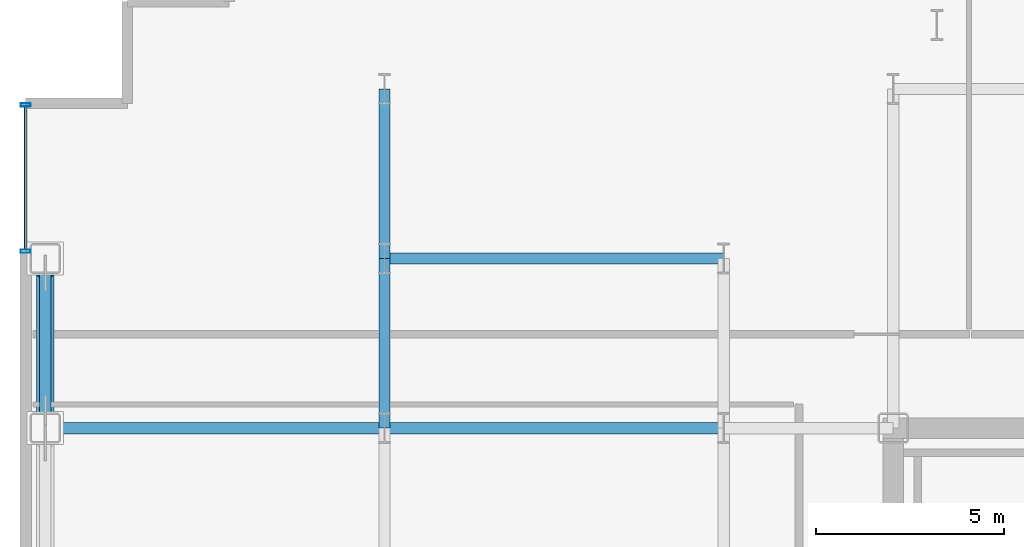
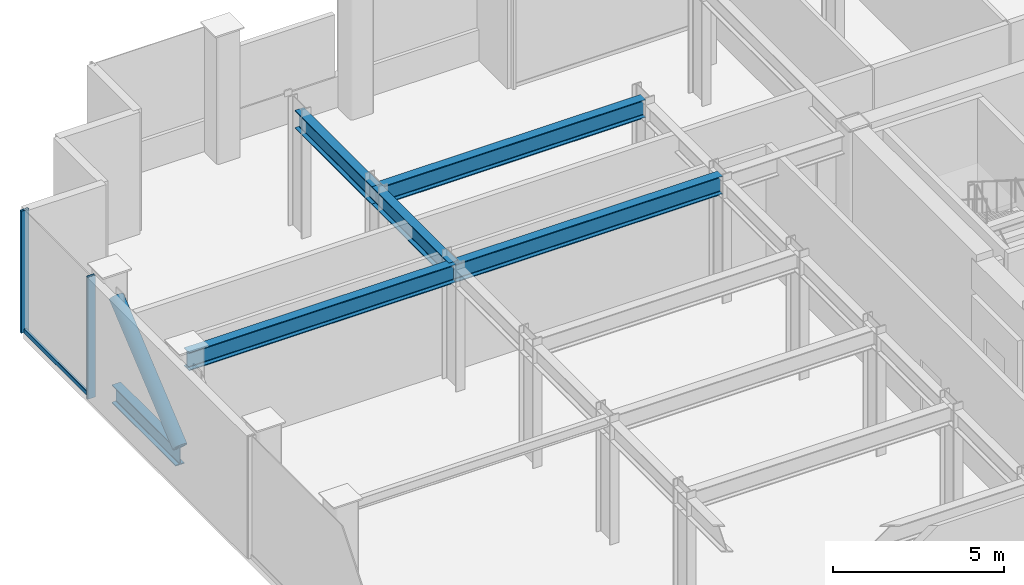
# One storey, part 11 of 26: 5 beams, 5 members, 1 element without a shape of its own.
"""IFC4 building model written with IfcOpenShell, lengths in metres."""

from ifc_helpers import new_model, si_unit, direction, frame, origin, origin_2d, place, context, subcontext, project, spatial, hollow_rectangle, hollow_circle, i_section, extrude, source, transform, mapped, material, layer, layer_set, material_profile, profile_set, type_object, element, aggregate, save


model = new_model("IFC4")

# Units and contexts
model_context = context("Model", 3, precision=1e-05, world=origin(), true_north=direction((0.0, 1.0)))
body_context = subcontext(model_context, "Body", "Model", "MODEL_VIEW")
ifc_project = project(units=[si_unit("LENGTHUNIT", "METRE"), si_unit("AREAUNIT", "SQUARE_METRE"), si_unit("VOLUMEUNIT", "CUBIC_METRE"), si_unit("PLANEANGLEUNIT", "RADIAN"), si_unit("MASSUNIT", "GRAM", prefix="KILO")], contexts=[model_context])

# Site, building, storey
site_placement = place(None, origin())
site = spatial("IfcSite", under=ifc_project, at=site_placement, CompositionType="ELEMENT")
building_placement = place(site_placement, origin())
building = spatial("IfcBuilding", under=site, at=building_placement, Name="Nefas-Gora Pilgrimage Tower", CompositionType="ELEMENT")
storey_placement = place(building_placement, frame((0.0, 0.0, 202.0)))
storey = spatial("IfcBuildingStorey", under=building, at=storey_placement, Name="L50", CompositionType="ELEMENT", Elevation=202.0)

# Beams
ifc_material_1 = material(Name="Steel S355", Category="steel")
ifc_material_profile_1 = material_profile(ifc_material_1, i_section(OverallWidth=0.300048828125, OverallDepth=0.64990234375, WebThickness=0.01611328125, FlangeThickness=0.031005859375, FilletRadius=0.027099609375, at=origin_2d()), Name="HEB 650")
ifc_profile_set_1 = profile_set([ifc_material_profile_1], Name="Steel S355")
beam_type = type_object("IfcBeamType", Name="BM-GIR-HEB650", PredefinedType="BEAM", material=ifc_profile_set_1)
shared_shape_1 = source(origin(), body_context, "Body", "SweptSolid", [
    extrude(i_section(OverallWidth=0.300048828125, OverallDepth=0.64990234375, WebThickness=0.01611328125, FlangeThickness=0.031005859375, FilletRadius=0.027099609375, at=origin_2d()), origin(), (0.0, 0.0, 1.0), 9.0),
])
for number, where, z_axis, x_axis, name in (
    (1, (-24.75, 9.0, 4.02490234375), (1.0, 0.0, 0.0), (0.0, 1.0, 0.0), "L50 G-03 beam"),
    (2, (-24.75, 13.5, 4.02490234375), (1.0, 0.0, 0.0), (0.0, 1.0, 0.0), "L50 G-03 beam"),
    (3, (-33.75, 9.0, 4.02490234375), (1.0, 0.0, 0.0), (0.0, 1.0, 0.0), "L50 G-03 beam"),
):
    element("IfcBeam", number, at=place(storey_placement, frame(where, z_axis=z_axis, x_axis=x_axis)), inside=storey, type_object=beam_type, Name=name, PredefinedType="BEAM", context=body_context, shape_type="MappedRepresentation", body=[
        mapped(shared_shape_1, transform((0.0, 0.0, 0.0), x_axis=(1.0, 0.0, 0.0), y_axis=(0.0, 1.0, 0.0), z_axis=(0.0, 0.0, 1.0), scale=1.0)),
    ])
shared_shape_2 = source(origin(), body_context, "Body", "SweptSolid", [
    extrude(i_section(OverallWidth=0.300048828125, OverallDepth=0.64990234375, WebThickness=0.01611328125, FlangeThickness=0.031005859375, FilletRadius=0.027099609375, at=origin_2d()), origin(), (0.0, 0.0, 1.0), 4.5),
])
for number, where, z_axis, x_axis, name in (
    (4, (-24.75, 9.0, 4.02490234375), (0.0, 1.0, 0.0), (-1.0, 0.0, 0.0), "L50 G-03 beam"),
    (5, (-24.75, 13.5, 4.02490234375), (0.0, 1.0, 0.0), (-1.0, 0.0, 0.0), "L50 G-03 beam"),
):
    element("IfcBeam", number, at=place(storey_placement, frame(where, z_axis=z_axis, x_axis=x_axis)), inside=storey, type_object=beam_type, Name=name, PredefinedType="BEAM", context=body_context, shape_type="MappedRepresentation", body=[
        mapped(shared_shape_2, transform((0.0, 0.0, 0.0), x_axis=(1.0, 0.0, 0.0), y_axis=(0.0, 1.0, 0.0), z_axis=(0.0, 0.0, 1.0), scale=1.0)),
    ])

# Members
ifc_material_2 = material(Name="Steel S460", Category="steel")
ifc_material_profile_2 = material_profile(ifc_material_2, hollow_circle(Radius=0.228515625, WallThickness=0.028076171875, at=origin_2d()), Name="CHS 457x28")
ifc_profile_set_2 = profile_set([ifc_material_profile_2], Name="Steel S460")
member_type_1 = type_object("IfcMemberType", Name="MEM-BELT-457", PredefinedType="BRACE", material=ifc_profile_set_2)
shared_shape_3 = source(origin(), body_context, "Body", "SweptSolid", [
    extrude(hollow_circle(Radius=0.228515625, WallThickness=0.028076171875, at=origin_2d()), origin(), (0.0, 0.0, 1.0), 4.84765625),
])
member_1_placement = place(storey_placement, frame((-33.75, 9.387939453125, 0.67333984375), z_axis=(0.0, 0.768237791814, 0.640164584485), x_axis=(-1.0, 0.0, 0.0)))
element("IfcMember", 6, at=member_1_placement, inside=storey, type_object=member_type_1, Name="L50 Perimeter Belt-Truss Diagonal 4", PredefinedType="BRACE", context=body_context, shape_type="MappedRepresentation", body=[
    mapped(shared_shape_3, transform((0.0, 0.0, 0.0), x_axis=(1.0, 0.0, 0.0), y_axis=(0.0, 1.0, 0.0), z_axis=(0.0, 0.0, 1.0), scale=1.0)),
])
ifc_material_profile_3 = material_profile(ifc_material_2, i_section(OverallWidth=0.300048828125, OverallDepth=0.64990234375, WebThickness=0.01611328125, FlangeThickness=0.031005859375, FilletRadius=0.027099609375, at=origin_2d()), Name="HEB 650")
ifc_profile_set_3 = profile_set([ifc_material_profile_3], Name="Steel S460")
member_type_2 = type_object("IfcMemberType", Name="MEM-BELT-CHORD", PredefinedType="CHORD", material=ifc_profile_set_3)
shared_shape_4 = source(origin(), body_context, "Body", "SweptSolid", [
    extrude(i_section(OverallWidth=0.300048828125, OverallDepth=0.64990234375, WebThickness=0.01611328125, FlangeThickness=0.031005859375, FilletRadius=0.027099609375, at=origin_2d()), origin(), (0.0, 0.0, 1.0), 3.72412109375),
])
member_2_placement = place(storey_placement, frame((-33.75, 9.387939453125, 0.35009765625), z_axis=(0.0, 1.0, 0.0), x_axis=(-1.0, 0.0, 0.0)))
element("IfcMember", 7, at=member_2_placement, inside=storey, type_object=member_type_2, Name="L50 Perimeter Belt-Truss Bottom Chord 4", PredefinedType="CHORD", context=body_context, shape_type="MappedRepresentation", body=[
    mapped(shared_shape_4, transform((0.0, 0.0, 0.0), x_axis=(1.0, 0.0, 0.0), y_axis=(0.0, 1.0, 0.0), z_axis=(0.0, 0.0, 1.0), scale=1.0)),
])

# Curtain wall, members
ifc_material_3 = material(Name="Dark ceramic-fritted solar-control aluminium-glass curtain wall", Category="aluminium")
ifc_layer = layer(ifc_material_3, 0.219970703125)
ifc_layer_set = layer_set([ifc_layer], Name="Dark ceramic-fritted solar-control aluminium-glass curtain wall")
curtain_wall_type = type_object("IfcCurtainWallType", Name="CW-SYS-3", PredefinedType="NOTDEFINED", material=ifc_layer_set)
curtain_wall_placement = place(storey_placement, origin())
curtain_wall = element("IfcCurtainWall", 8, at=curtain_wall_placement, inside=storey, type_object=curtain_wall_type, Name="L50 Unitised Curtain Wall CW3", PredefinedType="NOTDEFINED")
ifc_material_4 = material(Name="Anodised architectural aluminium", Category="aluminium")
ifc_material_profile_4 = material_profile(ifc_material_4, hollow_rectangle(XDim=0.090087890625, YDim=0.260009765625, WallThickness=0.006103515625, InnerFilletRadius=0.006103515625, OuterFilletRadius=0.011962890625, at=origin_2d()), Name="ALU MULLION 90x260")
ifc_profile_set_4 = profile_set([ifc_material_profile_4], Name="Anodised architectural aluminium")
member_type_3 = type_object("IfcMemberType", Name="CWM-MUL-3", PredefinedType="MULLION", material=ifc_profile_set_4)
shared_shape_5 = source(origin(), body_context, "Body", "SweptSolid", [
    extrude(hollow_rectangle(XDim=0.090087890625, YDim=0.260009765625, WallThickness=0.006103515625, InnerFilletRadius=0.006103515625, OuterFilletRadius=0.011962890625, at=origin_2d()), origin(), (0.0, 0.0, 1.0), 4.35009765625),
])
member_3_placement = place(storey_placement, frame((-34.27001953125, 17.574951171875, 0.0), z_axis=(0.0, 0.0, 1.0), x_axis=(0.0, -1.0, 0.0)))
member_3 = element("IfcMember", 9, at=member_3_placement, type_object=member_type_3, Name="CW3 Mullion 1", PredefinedType="MULLION", context=body_context, shape_type="MappedRepresentation", body=[
    mapped(shared_shape_5, transform((0.0, 0.0, 0.0), x_axis=(1.0, 0.0, 0.0), y_axis=(0.0, 1.0, 0.0), z_axis=(0.0, 0.0, 1.0), scale=1.0)),
])
member_4_placement = place(storey_placement, frame((-34.27001953125, 13.695068359375, 0.0), z_axis=(0.0, 0.0, 1.0), x_axis=(0.0, -1.0, 0.0)))
member_4 = element("IfcMember", 10, at=member_4_placement, type_object=member_type_3, Name="CW3 Mullion 2", PredefinedType="MULLION", context=body_context, shape_type="MappedRepresentation", body=[
    mapped(shared_shape_5, transform((0.0, 0.0, 0.0), x_axis=(1.0, 0.0, 0.0), y_axis=(0.0, 1.0, 0.0), z_axis=(0.0, 0.0, 1.0), scale=1.0)),
])
ifc_material_profile_5 = material_profile(ifc_material_4, hollow_rectangle(XDim=0.080078125, YDim=0.159912109375, WallThickness=0.00439453125, InnerFilletRadius=0.00439453125, OuterFilletRadius=0.009033203125, at=origin_2d()), Name="ALU TRANSOM 80x160")
ifc_profile_set_5 = profile_set([ifc_material_profile_5], Name="Anodised architectural aluminium")
member_type_4 = type_object("IfcMemberType", Name="CWM-TRN-3", PredefinedType="USERDEFINED", material=ifc_profile_set_5)
shared_shape_6 = source(origin(), body_context, "Body", "SweptSolid", [
    extrude(hollow_rectangle(XDim=0.080078125, YDim=0.159912109375, WallThickness=0.00439453125, InnerFilletRadius=0.00439453125, OuterFilletRadius=0.009033203125, at=origin_2d()), origin(), (0.0, 0.0, 1.0), 3.7900390625),
])
member_5_placement = place(storey_placement, frame((-34.27001953125, 17.530029296875, 0.050048828125), z_axis=(0.0, -1.0, 0.0), x_axis=(1.0, 0.0, 0.0)))
member_5 = element("IfcMember", 11, at=member_5_placement, type_object=member_type_4, Name="CW3 Spandrel Transom", ObjectType="TRANSOM", PredefinedType="USERDEFINED", context=body_context, shape_type="MappedRepresentation", body=[
    mapped(shared_shape_6, transform((0.0, 0.0, 0.0), x_axis=(1.0, 0.0, 0.0), y_axis=(0.0, 1.0, 0.0), z_axis=(0.0, 0.0, 1.0), scale=1.0)),
])
aggregate(curtain_wall, [member_3, member_4, member_5])

save(model, "model.ifc")
